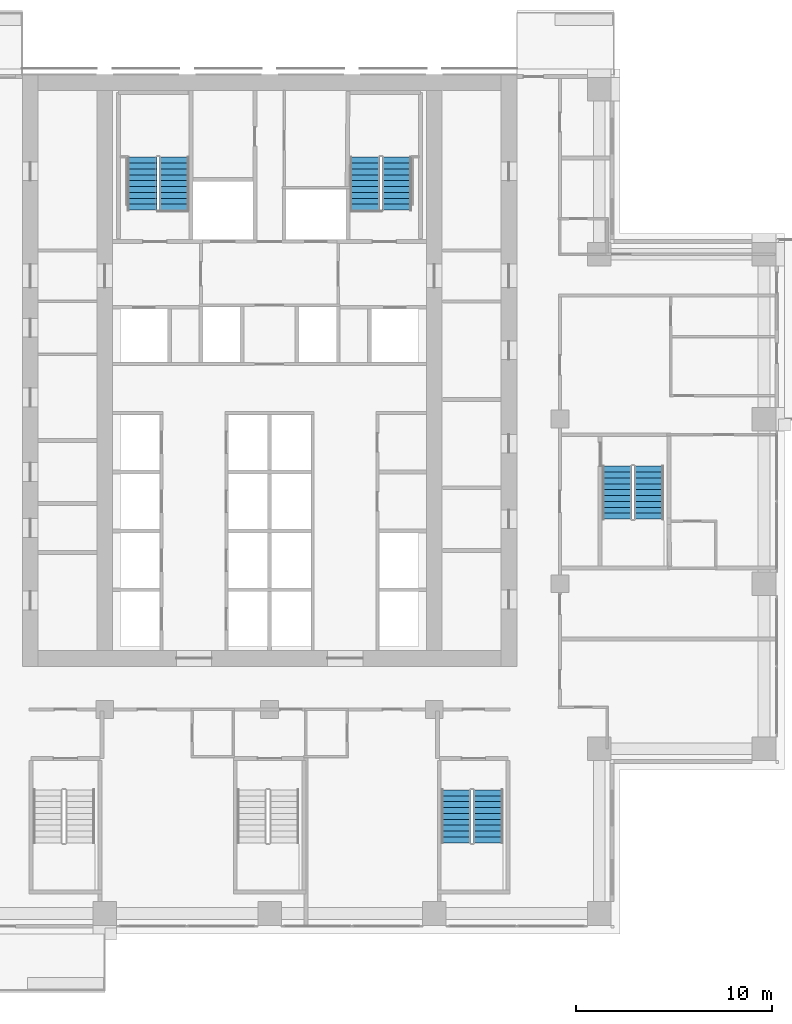
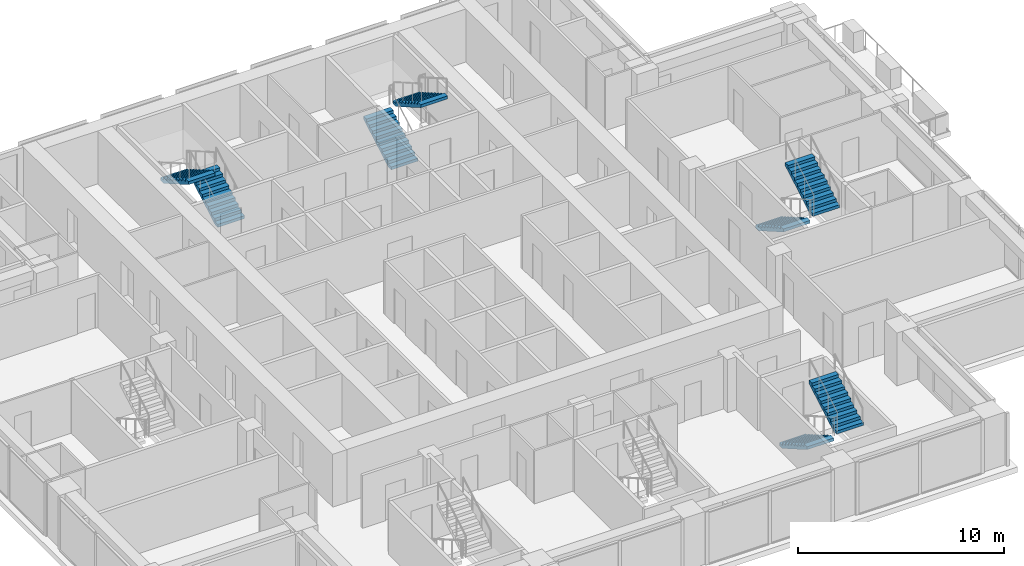
# One storey, part 13 of 17: 8 stair flights, 4 elements without a shape of their own.
"""IFC4 building model written with IfcOpenShell, lengths in metres."""

from ifc_helpers import new_model, si_unit, direction, frame, origin, place, context, subcontext, project, spatial, polyline, outline, extrude, material, type_object, element, aggregate, save


model = new_model("IFC4")

# Units and contexts
model_context = context("Model", 3, precision=1e-05, world=origin(), true_north=direction((0.0, 1.0)))
body_context = subcontext(model_context, "Body", "Model", "MODEL_VIEW")
ifc_project = project(units=[si_unit("LENGTHUNIT", "METRE"), si_unit("AREAUNIT", "SQUARE_METRE"), si_unit("VOLUMEUNIT", "CUBIC_METRE"), si_unit("PLANEANGLEUNIT", "RADIAN"), si_unit("MASSUNIT", "GRAM", prefix="KILO")], contexts=[model_context])

# Site, building, storey
site_placement = place(None, origin())
site = spatial("IfcSite", under=ifc_project, at=site_placement, CompositionType="ELEMENT")
building_placement = place(site_placement, origin())
building = spatial("IfcBuilding", under=site, at=building_placement, Name="Vermilion Ogive Tower", CompositionType="ELEMENT")
storey_placement = place(building_placement, frame((0.0, 0.0, 83.85009765625)))
storey = spatial("IfcBuildingStorey", under=building, at=storey_placement, Name="L20", CompositionType="ELEMENT", Elevation=83.85009765625)

# Stair, stair flights
ifc_material_1 = material(Name="Concrete B40", Category="concrete")
stair_type = type_object("IfcStairType", Name="Exit stair 1500", PredefinedType="HALF_TURN_STAIR", material=ifc_material_1)
stair_1_placement = place(storey_placement, origin())
stair_1 = element("IfcStair", 1, at=stair_1_placement, inside=storey, type_object=stair_type, Name="L20 Exit Stair ST1", PredefinedType="HALF_TURN_STAIR")
ifc_material_2 = material(Name="Concrete B40", Category="concrete")
stair_flight_type = type_object("IfcStairFlightType", Name="Stair flight 1500", PredefinedType="STRAIGHT", material=ifc_material_2)
stair_flight_1_placement = place(storey_placement, frame((-4.85009765625, 14.85009765625, 0.0), z_axis=(0.0, 0.0, 1.0), x_axis=(0.0, 1.0, 0.0)))
stair_flight_1 = element("IfcStairFlight", 2, at=stair_flight_1_placement, type_object=stair_flight_type, Name="ST1 flight 1", NumberOfRisers=10, NumberOfTreads=9, PredefinedType="STRAIGHT", RiserHeight=0.1725, TreadLength=0.3, context=body_context, shape_type="SweptSolid", body=[
    extrude(outline(polyline([(0.0, 0.0), (0.0, 0.172607421875), (0.300048828125, 0.172607421875), (0.300048828125, 0.344970703125), (0.60009765625, 0.344970703125), (0.60009765625, 0.517578125), (0.89990234375, 0.517578125), (0.89990234375, 0.68994140625), (1.199951171875, 0.68994140625), (1.199951171875, 0.862548828125), (1.5, 0.862548828125), (1.5, 1.034912109375), (1.800048828125, 1.034912109375), (1.800048828125, 1.20751953125), (2.10009765625, 1.20751953125), (2.10009765625, 1.3798828125), (2.39990234375, 1.3798828125), (2.39990234375, 1.552490234375), (2.699951171875, 1.552490234375), (2.699951171875, 1.72509765625), (2.699951171875, 1.379638671875), (0.30078125, 0.0), (0.0, 0.0)])), frame((0.0, 0.75, 0.0), z_axis=(0.0, -1.0, 0.0), x_axis=(1.0, 0.0, 0.0)), (0.0, 0.0, 1.0), 1.5),
])
stair_flight_2_placement = place(storey_placement, frame((-6.5, 17.550048828125, 1.724853515625), z_axis=(0.0, 0.0, 1.0), x_axis=(0.0, -1.0, 0.0)))
stair_flight_2 = element("IfcStairFlight", 3, at=stair_flight_2_placement, type_object=stair_flight_type, Name="ST1 flight 2", NumberOfRisers=10, NumberOfTreads=9, PredefinedType="STRAIGHT", RiserHeight=0.1725, TreadLength=0.3, context=body_context, shape_type="SweptSolid", body=[
    extrude(outline(polyline([(0.0, 0.0), (0.0, 0.172607421875), (0.300048828125, 0.172607421875), (0.300048828125, 0.344970703125), (0.60009765625, 0.344970703125), (0.60009765625, 0.517578125), (0.89990234375, 0.517578125), (0.89990234375, 0.68994140625), (1.199951171875, 0.68994140625), (1.199951171875, 0.862548828125), (1.5, 0.862548828125), (1.5, 1.034912109375), (1.800048828125, 1.034912109375), (1.800048828125, 1.20751953125), (2.10009765625, 1.20751953125), (2.10009765625, 1.3798828125), (2.39990234375, 1.3798828125), (2.39990234375, 1.552490234375), (2.699951171875, 1.552490234375), (2.699951171875, 1.72509765625), (2.699951171875, 1.379638671875), (0.30078125, 0.0), (0.0, 0.0)])), frame((0.0, 0.75, 0.0), z_axis=(0.0, -1.0, 0.0), x_axis=(1.0, 0.0, 0.0)), (0.0, 0.0, 1.0), 1.5),
])
aggregate(stair_1, [stair_flight_1, stair_flight_2])

stair_2_placement = place(storey_placement, origin())
stair_2 = element("IfcStair", 4, at=stair_2_placement, inside=storey, type_object=stair_type, Name="L20 Exit Stair ST2", PredefinedType="HALF_TURN_STAIR")
stair_flight_3_placement = place(storey_placement, frame((4.85009765625, 14.85009765625, 0.0), z_axis=(0.0, 0.0, 1.0), x_axis=(0.0, 1.0, 0.0)))
stair_flight_3 = element("IfcStairFlight", 5, at=stair_flight_3_placement, type_object=stair_flight_type, Name="ST2 flight 1", NumberOfRisers=10, NumberOfTreads=9, PredefinedType="STRAIGHT", RiserHeight=0.1725, TreadLength=0.3, context=body_context, shape_type="SweptSolid", body=[
    extrude(outline(polyline([(0.0, 0.0), (0.0, 0.172607421875), (0.300048828125, 0.172607421875), (0.300048828125, 0.344970703125), (0.60009765625, 0.344970703125), (0.60009765625, 0.517578125), (0.89990234375, 0.517578125), (0.89990234375, 0.68994140625), (1.199951171875, 0.68994140625), (1.199951171875, 0.862548828125), (1.5, 0.862548828125), (1.5, 1.034912109375), (1.800048828125, 1.034912109375), (1.800048828125, 1.20751953125), (2.10009765625, 1.20751953125), (2.10009765625, 1.3798828125), (2.39990234375, 1.3798828125), (2.39990234375, 1.552490234375), (2.699951171875, 1.552490234375), (2.699951171875, 1.72509765625), (2.699951171875, 1.379638671875), (0.30078125, 0.0), (0.0, 0.0)])), frame((0.0, 0.75, 0.0), z_axis=(0.0, -1.0, 0.0), x_axis=(1.0, 0.0, 0.0)), (0.0, 0.0, 1.0), 1.5),
])
stair_flight_4_placement = place(storey_placement, frame((6.5, 17.550048828125, 1.724853515625), z_axis=(0.0, 0.0, 1.0), x_axis=(0.0, -1.0, 0.0)))
stair_flight_4 = element("IfcStairFlight", 6, at=stair_flight_4_placement, type_object=stair_flight_type, Name="ST2 flight 2", NumberOfRisers=10, NumberOfTreads=9, PredefinedType="STRAIGHT", RiserHeight=0.1725, TreadLength=0.3, context=body_context, shape_type="SweptSolid", body=[
    extrude(outline(polyline([(0.0, 0.0), (0.0, 0.172607421875), (0.300048828125, 0.172607421875), (0.300048828125, 0.344970703125), (0.60009765625, 0.344970703125), (0.60009765625, 0.517578125), (0.89990234375, 0.517578125), (0.89990234375, 0.68994140625), (1.199951171875, 0.68994140625), (1.199951171875, 0.862548828125), (1.5, 0.862548828125), (1.5, 1.034912109375), (1.800048828125, 1.034912109375), (1.800048828125, 1.20751953125), (2.10009765625, 1.20751953125), (2.10009765625, 1.3798828125), (2.39990234375, 1.3798828125), (2.39990234375, 1.552490234375), (2.699951171875, 1.552490234375), (2.699951171875, 1.72509765625), (2.699951171875, 1.379638671875), (0.30078125, 0.0), (0.0, 0.0)])), frame((0.0, 0.75, 0.0), z_axis=(0.0, -1.0, 0.0), x_axis=(1.0, 0.0, 0.0)), (0.0, 0.0, 1.0), 1.5),
])
aggregate(stair_2, [stair_flight_3, stair_flight_4])

stair_3_placement = place(storey_placement, origin())
stair_3 = element("IfcStair", 7, at=stair_3_placement, inside=storey, type_object=stair_type, Name="L20 Exit Stair ST5", PredefinedType="HALF_TURN_STAIR")
stair_flight_5_placement = place(storey_placement, frame((9.5, -14.699951171875, 0.0), z_axis=(0.0, 0.0, 1.0), x_axis=(0.0, -1.0, 0.0)))
stair_flight_5 = element("IfcStairFlight", 8, at=stair_flight_5_placement, type_object=stair_flight_type, Name="ST5 flight 1", NumberOfRisers=10, NumberOfTreads=9, PredefinedType="STRAIGHT", RiserHeight=0.1725, TreadLength=0.3, context=body_context, shape_type="SweptSolid", body=[
    extrude(outline(polyline([(0.0, 0.0), (0.0, 0.172607421875), (0.300048828125, 0.172607421875), (0.300048828125, 0.344970703125), (0.60009765625, 0.344970703125), (0.60009765625, 0.517578125), (0.89990234375, 0.517578125), (0.89990234375, 0.68994140625), (1.199951171875, 0.68994140625), (1.199951171875, 0.862548828125), (1.5, 0.862548828125), (1.5, 1.034912109375), (1.800048828125, 1.034912109375), (1.800048828125, 1.20751953125), (2.10009765625, 1.20751953125), (2.10009765625, 1.3798828125), (2.39990234375, 1.3798828125), (2.39990234375, 1.552490234375), (2.699951171875, 1.552490234375), (2.699951171875, 1.72509765625), (2.699951171875, 1.379638671875), (0.30078125, 0.0), (0.0, 0.0)])), frame((0.0, 0.75, 0.0), z_axis=(0.0, -1.0, 0.0), x_axis=(1.0, 0.0, 0.0)), (0.0, 0.0, 1.0), 1.5),
])
stair_flight_6_placement = place(storey_placement, frame((11.14990234375, -17.39990234375, 1.724853515625), z_axis=(0.0, 0.0, 1.0), x_axis=(0.0, 1.0, 0.0)))
stair_flight_6 = element("IfcStairFlight", 9, at=stair_flight_6_placement, type_object=stair_flight_type, Name="ST5 flight 2", NumberOfRisers=10, NumberOfTreads=9, PredefinedType="STRAIGHT", RiserHeight=0.1725, TreadLength=0.3, context=body_context, shape_type="SweptSolid", body=[
    extrude(outline(polyline([(0.0, 0.0), (0.0, 0.172607421875), (0.300048828125, 0.172607421875), (0.300048828125, 0.344970703125), (0.60009765625, 0.344970703125), (0.60009765625, 0.517578125), (0.89990234375, 0.517578125), (0.89990234375, 0.68994140625), (1.199951171875, 0.68994140625), (1.199951171875, 0.862548828125), (1.5, 0.862548828125), (1.5, 1.034912109375), (1.800048828125, 1.034912109375), (1.800048828125, 1.20751953125), (2.10009765625, 1.20751953125), (2.10009765625, 1.3798828125), (2.39990234375, 1.3798828125), (2.39990234375, 1.552490234375), (2.699951171875, 1.552490234375), (2.699951171875, 1.72509765625), (2.699951171875, 1.379638671875), (0.30078125, 0.0), (0.0, 0.0)])), frame((0.0, 0.75, 0.0), z_axis=(0.0, -1.0, 0.0), x_axis=(1.0, 0.0, 0.0)), (0.0, 0.0, 1.0), 1.5),
])
aggregate(stair_3, [stair_flight_5, stair_flight_6])

stair_4_placement = place(storey_placement, origin())
stair_4 = element("IfcStair", 10, at=stair_4_placement, inside=storey, type_object=stair_type, Name="L20 Exit Stair ST8", PredefinedType="HALF_TURN_STAIR")
stair_flight_7_placement = place(storey_placement, frame((17.699951171875, 1.800048828125, 0.0), z_axis=(0.0, 0.0, 1.0), x_axis=(0.0, -1.0, 0.0)))
stair_flight_7 = element("IfcStairFlight", 11, at=stair_flight_7_placement, type_object=stair_flight_type, Name="ST8 flight 1", NumberOfRisers=10, NumberOfTreads=9, PredefinedType="STRAIGHT", RiserHeight=0.1725, TreadLength=0.3, context=body_context, shape_type="SweptSolid", body=[
    extrude(outline(polyline([(0.0, 0.0), (0.0, 0.172607421875), (0.300048828125, 0.172607421875), (0.300048828125, 0.344970703125), (0.60009765625, 0.344970703125), (0.60009765625, 0.517578125), (0.89990234375, 0.517578125), (0.89990234375, 0.68994140625), (1.199951171875, 0.68994140625), (1.199951171875, 0.862548828125), (1.5, 0.862548828125), (1.5, 1.034912109375), (1.800048828125, 1.034912109375), (1.800048828125, 1.20751953125), (2.10009765625, 1.20751953125), (2.10009765625, 1.3798828125), (2.39990234375, 1.3798828125), (2.39990234375, 1.552490234375), (2.699951171875, 1.552490234375), (2.699951171875, 1.72509765625), (2.699951171875, 1.379638671875), (0.30078125, 0.0), (0.0, 0.0)])), frame((0.0, 0.75, 0.0), z_axis=(0.0, -1.0, 0.0), x_axis=(1.0, 0.0, 0.0)), (0.0, 0.0, 1.0), 1.5),
])
stair_flight_8_placement = place(storey_placement, frame((19.35009765625, -0.89990234375, 1.724853515625), z_axis=(0.0, 0.0, 1.0), x_axis=(0.0, 1.0, 0.0)))
stair_flight_8 = element("IfcStairFlight", 12, at=stair_flight_8_placement, type_object=stair_flight_type, Name="ST8 flight 2", NumberOfRisers=10, NumberOfTreads=9, PredefinedType="STRAIGHT", RiserHeight=0.1725, TreadLength=0.3, context=body_context, shape_type="SweptSolid", body=[
    extrude(outline(polyline([(0.0, 0.0), (0.0, 0.172607421875), (0.300048828125, 0.172607421875), (0.300048828125, 0.344970703125), (0.60009765625, 0.344970703125), (0.60009765625, 0.517578125), (0.89990234375, 0.517578125), (0.89990234375, 0.68994140625), (1.199951171875, 0.68994140625), (1.199951171875, 0.862548828125), (1.5, 0.862548828125), (1.5, 1.034912109375), (1.800048828125, 1.034912109375), (1.800048828125, 1.20751953125), (2.10009765625, 1.20751953125), (2.10009765625, 1.3798828125), (2.39990234375, 1.3798828125), (2.39990234375, 1.552490234375), (2.699951171875, 1.552490234375), (2.699951171875, 1.72509765625), (2.699951171875, 1.379638671875), (0.30078125, 0.0), (0.0, 0.0)])), frame((0.0, 0.75, 0.0), z_axis=(0.0, -1.0, 0.0), x_axis=(1.0, 0.0, 0.0)), (0.0, 0.0, 1.0), 1.5),
])
aggregate(stair_4, [stair_flight_7, stair_flight_8])

save(model, "model.ifc")
